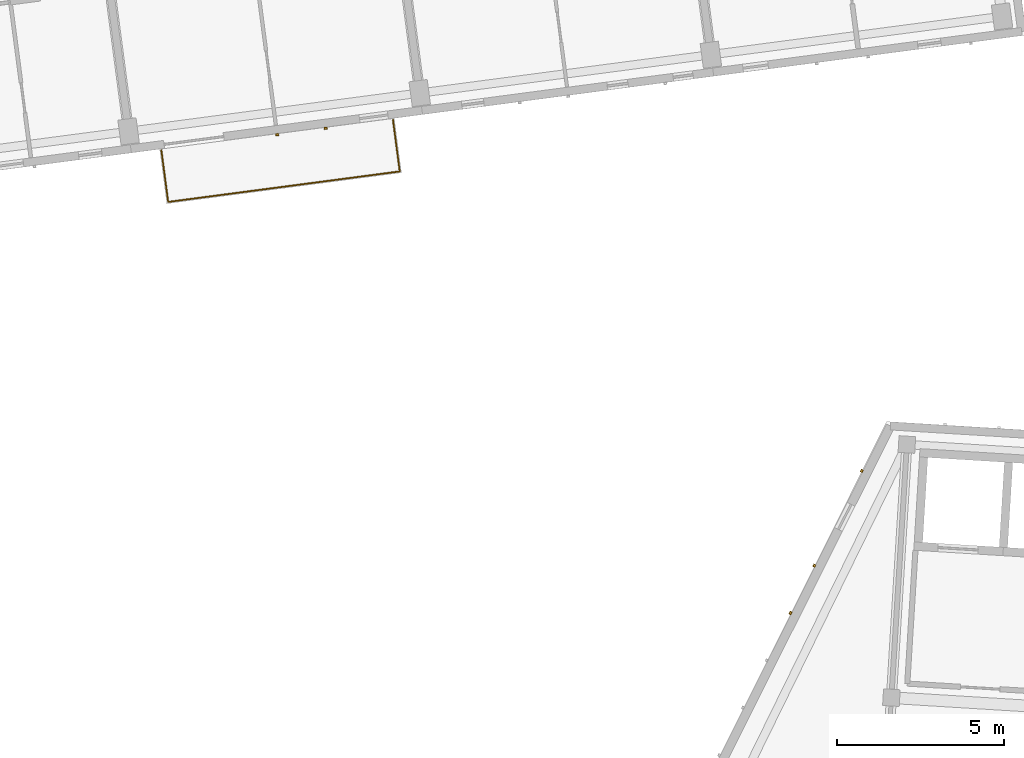
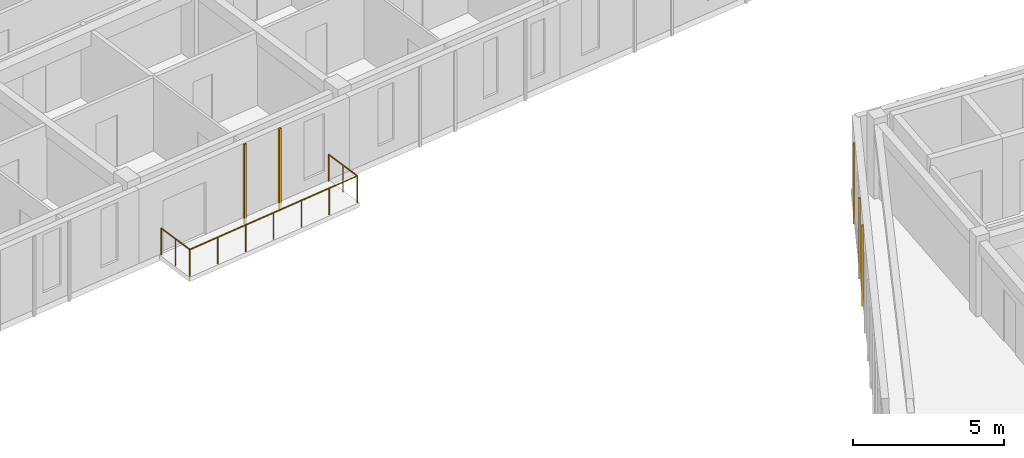
# One storey, part 42 of 74: 5 coverings, 1 railing.
"""IFC4 building model written with IfcOpenShell, lengths in metres."""

from ifc_helpers import new_model, si_unit, direction, frame, origin, origin_2d, place, context, subcontext, project, spatial, rectangle, circle, extrude, material, layer, layer_set, type_object, element, save


model = new_model("IFC4")

# Units and contexts
model_context = context("Model", 3, precision=1e-05, world=origin(), true_north=direction((0.0, 1.0)))
body_context = subcontext(model_context, "Body", "Model", "MODEL_VIEW")
ifc_project = project(units=[si_unit("LENGTHUNIT", "METRE"), si_unit("AREAUNIT", "SQUARE_METRE"), si_unit("VOLUMEUNIT", "CUBIC_METRE"), si_unit("PLANEANGLEUNIT", "RADIAN"), si_unit("MASSUNIT", "GRAM", prefix="KILO")], contexts=[model_context])

# Site, building, storey
site_placement = place(None, origin())
site = spatial("IfcSite", under=ifc_project, at=site_placement, CompositionType="ELEMENT")
building_placement = place(site_placement, origin())
building = spatial("IfcBuilding", under=site, at=building_placement, Name="Kestramere Prow Commons", CompositionType="ELEMENT")
storey_placement = place(building_placement, frame((0.0, 0.0, 11.64990234375)))
storey = spatial("IfcBuildingStorey", under=building, at=storey_placement, Name="L03", CompositionType="ELEMENT", Elevation=11.64990234375)

# Coverings
ifc_material_1 = material(Name="Weathered Zinc-Titanium Standing-Seam Cladding")
ifc_layer = layer(ifc_material_1, 0.074951171875)
ifc_layer_set = layer_set([ifc_layer], Name="Weathered Zinc-Titanium Standing-Seam Cladding")
covering_type = type_object("IfcCoveringType", Name="COV-CLAD-SEAM", PredefinedType="CLADDING", material=ifc_layer_set)
for number, where, z_axis, x_axis, name in (
    (1, (43.279052734375, 75.5400390625, -0.25), (0.0, 0.0, 1.0), (-0.991444861374, -0.13052619222, 0.0), "EW-A-L03-S-3 Standing-Seam Rib 2"),
    (2, (41.824951171875, 75.348388671875, -0.25), (0.0, 0.0, 1.0), (-0.991444861374, -0.13052619222, 0.0), "EW-A-L03-S-3 Standing-Seam Rib 3"),
    (3, (57.208984375, 61.01416015625, -0.25), (0.0, 0.0, 1.0), (0.448620327542, 0.893722441095, 0.0), "EW-C-L03-PRW-N Standing-Seam Rib 8"),
    (4, (57.921630859375, 62.433837890625, -0.25), (0.0, 0.0, 1.0), (0.448620327542, 0.893722441095, 0.0), "EW-C-L03-PRW-N Standing-Seam Rib 9"),
    (5, (59.3466796875, 65.27294921875, -0.25), (0.0, 0.0, 1.0), (0.448620327542, 0.893722441095, 0.0), "EW-C-L03-PRW-N Standing-Seam Rib 11"),
):
    element("IfcCovering", number, at=place(storey_placement, frame(where, z_axis=z_axis, x_axis=x_axis)), inside=storey, type_object=covering_type, Name=name, PredefinedType="CLADDING", context=body_context, shape_type="SweptSolid", body=[
        extrude(rectangle(XDim=0.0849609375, YDim=0.06494140625, at=origin_2d()), origin(), (0.0, 0.0, 1.0), 3.25),
    ])

# Railing
ifc_material_2 = material(Name="Powder-Coated Aluminium 6063-T6", Category="aluminium")
railing_type = type_object("IfcRailingType", Name="GRD-BALC-1100", PredefinedType="BALUSTRADE", material=ifc_material_2)
railing_placement = place(storey_placement, frame((38.3564453125, 74.879150390625, 0.0)))
element("IfcRailing", 6, at=railing_placement, inside=storey, type_object=railing_type, Name="Block A L03 Balcony Guardrail 4", PredefinedType="BALUSTRADE", context=body_context, shape_type="SweptSolid", body=[
    extrude(circle(Radius=0.02392578125, at=origin_2d()), frame((0.0, 0.0, 1.076171875), z_axis=(0.130523335136, -0.991445237512, 0.0), x_axis=(0.991445237512, 0.130523335136, 0.0)), (0.0, 0.0, 1.0), 1.56005859375),
    extrude(circle(Radius=0.02392578125, at=origin_2d()), frame((0.20361328125, -1.546630859375, 1.076171875), z_axis=(0.991442539299, 0.130543828916, 0.0), x_axis=(-0.130543828916, 0.991442539299, 0.0)), (0.0, 0.0, 1.0), 7.0),
    extrude(circle(Radius=0.02392578125, at=origin_2d()), frame((7.143798828125, -0.6328125, 1.076171875), z_axis=(-0.130523335136, 0.991445237512, 0.0), x_axis=(-0.991445237512, -0.130523335136, 0.0)), (0.0, 0.0, 1.0), 1.56005859375),
    extrude(circle(Radius=0.02099609375, at=origin_2d()), origin(), (0.0, 0.0, 1.0), 1.052001953125),
    extrude(circle(Radius=0.02099609375, at=origin_2d()), frame((0.101806640625, -0.7734375, 0.0)), (0.0, 0.0, 1.0), 1.052001953125),
    extrude(circle(Radius=0.02099609375, at=origin_2d()), frame((0.20361328125, -1.546630859375, 0.0)), (0.0, 0.0, 1.0), 1.052001953125),
    extrude(circle(Radius=0.02099609375, at=origin_2d()), frame((1.3603515625, -1.394287109375, 0.0)), (0.0, 0.0, 1.0), 1.052001953125),
    extrude(circle(Radius=0.02099609375, at=origin_2d()), frame((2.51708984375, -1.241943359375, 0.0)), (0.0, 0.0, 1.0), 1.052001953125),
    extrude(circle(Radius=0.02099609375, at=origin_2d()), frame((3.673828125, -1.08984375, 0.0)), (0.0, 0.0, 1.0), 1.052001953125),
    extrude(circle(Radius=0.02099609375, at=origin_2d()), frame((4.830322265625, -0.9375, 0.0)), (0.0, 0.0, 1.0), 1.052001953125),
    extrude(circle(Radius=0.02099609375, at=origin_2d()), frame((5.987060546875, -0.78515625, 0.0)), (0.0, 0.0, 1.0), 1.052001953125),
    extrude(circle(Radius=0.02099609375, at=origin_2d()), frame((7.143798828125, -0.6328125, 0.0)), (0.0, 0.0, 1.0), 1.052001953125),
    extrude(circle(Radius=0.02099609375, at=origin_2d()), frame((7.0419921875, 0.140625, 0.0)), (0.0, 0.0, 1.0), 1.052001953125),
    extrude(circle(Radius=0.02099609375, at=origin_2d()), frame((6.940185546875, 0.913818359375, 0.0)), (0.0, 0.0, 1.0), 1.052001953125),
])

save(model, "model.ifc")
